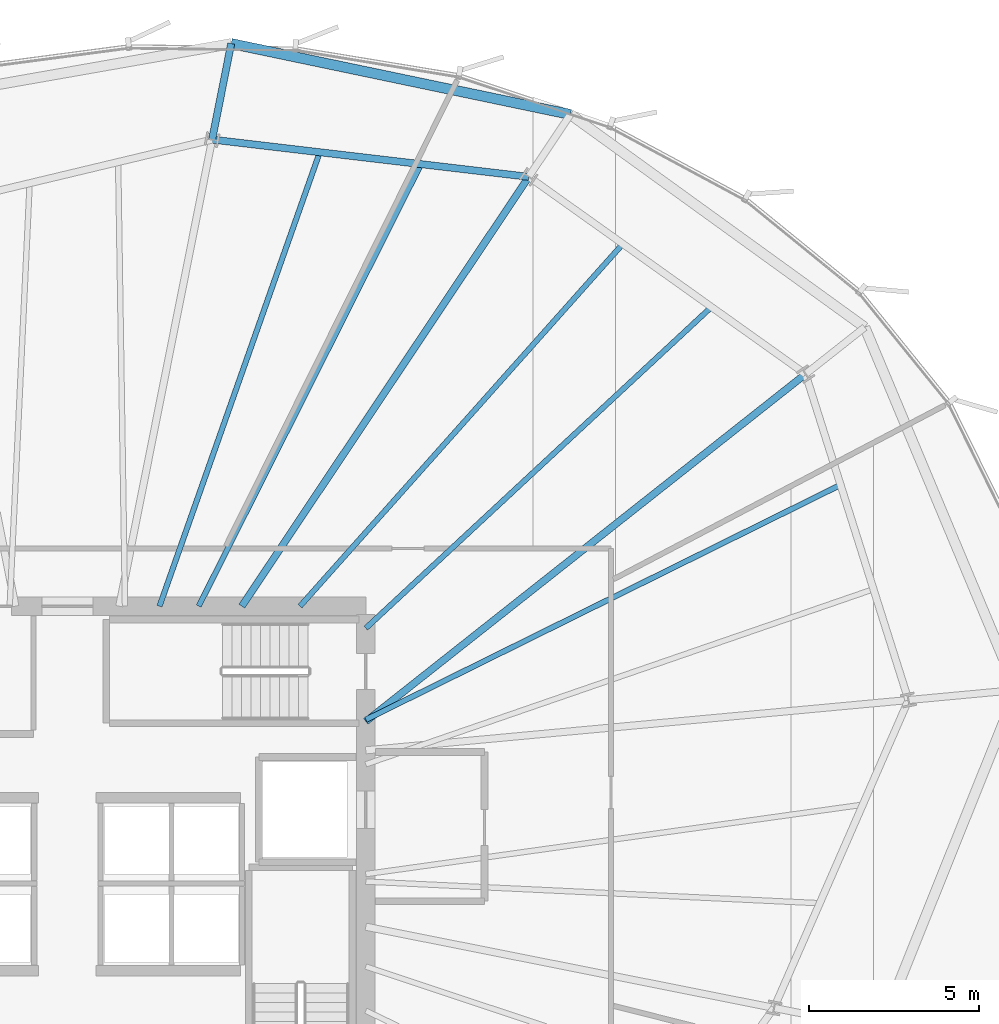
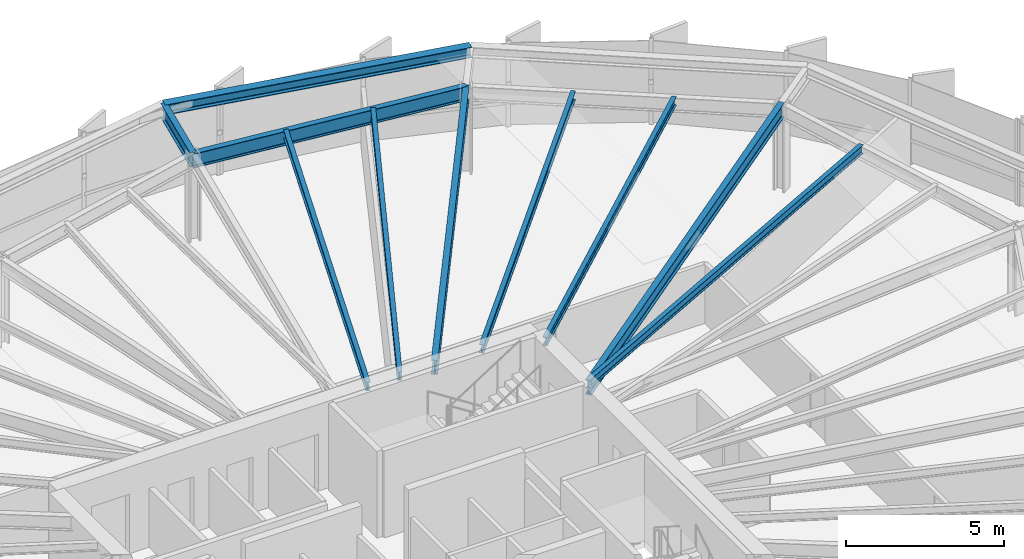
# One storey, part 22 of 33: 10 beams.
"""IFC4 building model written with IfcOpenShell, lengths in metres."""

from ifc_helpers import new_model, si_unit, direction, frame, origin, origin_2d, place, context, subcontext, project, spatial, i_section, extrude, source, transform, mapped, material, material_profile, profile_set, type_object, element, save


model = new_model("IFC4")

# Units and contexts
model_context = context("Model", 3, precision=1e-05, world=origin(), true_north=direction((0.0, 1.0)))
body_context = subcontext(model_context, "Body", "Model", "MODEL_VIEW")
ifc_project = project(units=[si_unit("LENGTHUNIT", "METRE"), si_unit("AREAUNIT", "SQUARE_METRE"), si_unit("VOLUMEUNIT", "CUBIC_METRE"), si_unit("PLANEANGLEUNIT", "RADIAN"), si_unit("MASSUNIT", "GRAM", prefix="KILO"), si_unit("THERMODYNAMICTEMPERATUREUNIT", "KELVIN")], contexts=[model_context])

# Site, building, storey
site_placement = place(None, origin())
site = spatial("IfcSite", under=ifc_project, at=site_placement, CompositionType="ELEMENT")
building_placement = place(site_placement, origin())
building = spatial("IfcBuilding", under=site, at=building_placement, Name="Kethvar Cultural Tower", CompositionType="ELEMENT")
storey_placement = place(building_placement, frame((0.0, 0.0, 114.39990234375)))
storey = spatial("IfcBuildingStorey", under=building, at=storey_placement, Name="L28", CompositionType="ELEMENT", Elevation=114.39990234375)

# Beams
ifc_material = material(Name="Steel S355J2", Category="steel")
ifc_material_profile_1 = material_profile(ifc_material, i_section(OverallWidth=0.2099609375, OverallDepth=0.550048828125, WebThickness=0.010986328125, FlangeThickness=0.01708984375, FilletRadius=0.02392578125, at=origin_2d()), Name="Steel S355J2 — IPE550")
ifc_profile_set_1 = profile_set([ifc_material_profile_1], Name="Steel S355J2 — IPE550")
beam_type_1 = type_object("IfcBeamType", Name="BM-IPE550", PredefinedType="BEAM", material=ifc_profile_set_1)
shared_shape_1 = source(origin(), body_context, "Body", "SweptSolid", [
    extrude(i_section(OverallWidth=0.2099609375, OverallDepth=0.550048828125, WebThickness=0.010986328125, FlangeThickness=0.01708984375, FilletRadius=0.02392578125, at=origin_2d()), origin(), (0.0, 0.0, 1.0), 16.527099609375),
])
beam_1_placement = place(storey_placement, frame((55.60009765625, 32.10009765625, 3.072998046875), z_axis=(0.784681939021, 0.619898584105, 0.0), x_axis=(-0.619898584105, 0.784681939021, 0.0)))
element("IfcBeam", 1, at=beam_1_placement, inside=storey, type_object=beam_type_1, Name="L28 Primary Radial Beam RB-02", PredefinedType="BEAM", context=body_context, shape_type="MappedRepresentation", body=[
    mapped(shared_shape_1, transform((0.0, 0.0, 0.0), scale=1.0)),
])
shared_shape_2 = source(origin(), body_context, "Body", "SweptSolid", [
    extrude(i_section(OverallWidth=0.2099609375, OverallDepth=0.550048828125, WebThickness=0.010986328125, FlangeThickness=0.01708984375, FilletRadius=0.02392578125, at=origin_2d()), origin(), (0.0, 0.0, 1.0), 15.22705078125),
])
beam_2_placement = place(storey_placement, frame((51.945068359375, 35.5, 3.072998046875), z_axis=(0.555569390778, 0.83147017507, 0.0), x_axis=(-0.83147017507, 0.555569390778, 0.0)))
element("IfcBeam", 2, at=beam_2_placement, inside=storey, type_object=beam_type_1, Name="L28 Primary Radial Beam RB-03", PredefinedType="BEAM", context=body_context, shape_type="MappedRepresentation", body=[
    mapped(shared_shape_2, transform((0.0, 0.0, 0.0), scale=1.0)),
])
ifc_material_profile_2 = material_profile(ifc_material, i_section(OverallWidth=0.159912109375, OverallDepth=0.330078125, WebThickness=0.007568359375, FlangeThickness=0.011474609375, FilletRadius=0.01806640625, at=origin_2d()), Name="Steel S355J2 — IPE330")
ifc_profile_set_2 = profile_set([ifc_material_profile_2], Name="Steel S355J2 — IPE330")
beam_type_2 = type_object("IfcBeamType", Name="BM-J330", PredefinedType="JOIST", material=ifc_profile_set_2)
shared_shape_3 = source(origin(), body_context, "Body", "SweptSolid", [
    extrude(i_section(OverallWidth=0.159912109375, OverallDepth=0.330078125, WebThickness=0.007568359375, FlangeThickness=0.011474609375, FilletRadius=0.01806640625, at=origin_2d()), origin(), (0.0, 0.0, 1.0), 15.618896484375),
])
beam_3_placement = place(storey_placement, frame((55.60009765625, 32.152587890625, 3.18310546875), z_axis=(0.896344638992, 0.443357968408, 0.0), x_axis=(-0.443357968408, 0.896344638992, 0.0)))
element("IfcBeam", 3, at=beam_3_placement, inside=storey, type_object=beam_type_2, Name="L28 Composite Floor Joist J-01B", PredefinedType="JOIST", context=body_context, shape_type="MappedRepresentation", body=[
    mapped(shared_shape_3, transform((0.0, 0.0, 0.0), scale=1.0)),
])
shared_shape_4 = source(origin(), body_context, "Body", "SweptSolid", [
    extrude(i_section(OverallWidth=0.159912109375, OverallDepth=0.330078125, WebThickness=0.007568359375, FlangeThickness=0.011474609375, FilletRadius=0.01806640625, at=origin_2d()), origin(), (0.0, 0.0, 1.0), 13.91455078125),
])
beam_4_placement = place(storey_placement, frame((55.60009765625, 34.85009765625, 3.18310546875), z_axis=(0.732512843328, 0.680753211054, 0.0), x_axis=(-0.680753211054, 0.732512843328, 0.0)))
element("IfcBeam", 4, at=beam_4_placement, inside=storey, type_object=beam_type_2, Name="L28 Composite Floor Joist J-02A", PredefinedType="JOIST", context=body_context, shape_type="MappedRepresentation", body=[
    mapped(shared_shape_4, transform((0.0, 0.0, 0.0), scale=1.0)),
])
shared_shape_5 = source(origin(), body_context, "Body", "SweptSolid", [
    extrude(i_section(OverallWidth=0.159912109375, OverallDepth=0.330078125, WebThickness=0.007568359375, FlangeThickness=0.011474609375, FilletRadius=0.01806640625, at=origin_2d()), origin(), (0.0, 0.0, 1.0), 14.3095703125),
])
beam_5_placement = place(storey_placement, frame((53.660888671875, 35.5, 3.18310546875), z_axis=(0.665261381663, 0.746610537073, 0.0), x_axis=(-0.746610537073, 0.665261381663, 0.0)))
element("IfcBeam", 5, at=beam_5_placement, inside=storey, type_object=beam_type_2, Name="L28 Composite Floor Joist J-02B", PredefinedType="JOIST", context=body_context, shape_type="MappedRepresentation", body=[
    mapped(shared_shape_5, transform((0.0, 0.0, 0.0), scale=1.0)),
])
shared_shape_6 = source(origin(), body_context, "Body", "SweptSolid", [
    extrude(i_section(OverallWidth=0.2099609375, OverallDepth=0.550048828125, WebThickness=0.010986328125, FlangeThickness=0.01708984375, FilletRadius=0.02392578125, at=origin_2d()), origin(), (0.0, 0.0, 1.0), 9.400634765625),
])
beam_6_placement = place(storey_placement, frame((60.40478515625, 48.160888671875, 3.072998046875), z_axis=(-0.993150427046, 0.116842754407, 0.0), x_axis=(-0.116842754407, -0.993150427046, 0.0)))
element("IfcBeam", 6, at=beam_6_placement, inside=storey, type_object=beam_type_1, Name="L28 Column Ring Tie Beam CR-03", PredefinedType="BEAM", context=body_context, shape_type="MappedRepresentation", body=[
    mapped(shared_shape_6, transform((0.0, 0.0, 0.0), scale=1.0)),
])
shared_shape_7 = source(origin(), body_context, "Body", "SweptSolid", [
    extrude(i_section(OverallWidth=0.159912109375, OverallDepth=0.330078125, WebThickness=0.007568359375, FlangeThickness=0.011474609375, FilletRadius=0.01806640625, at=origin_2d()), origin(), (0.0, 0.0, 1.0), 14.590576171875),
])
beam_7_placement = place(storey_placement, frame((50.673583984375, 35.5, 3.18310546875), z_axis=(0.449394228778, 0.893333547529, 0.0), x_axis=(-0.893333547529, 0.449394228778, 0.0)))
element("IfcBeam", 7, at=beam_7_placement, inside=storey, type_object=beam_type_2, Name="L28 Composite Floor Joist J-03A", PredefinedType="JOIST", context=body_context, shape_type="MappedRepresentation", body=[
    mapped(shared_shape_7, transform((0.0, 0.0, 0.0), scale=1.0)),
])
shared_shape_8 = source(origin(), body_context, "Body", "SweptSolid", [
    extrude(i_section(OverallWidth=0.159912109375, OverallDepth=0.330078125, WebThickness=0.007568359375, FlangeThickness=0.011474609375, FilletRadius=0.01806640625, at=origin_2d()), origin(), (0.0, 0.0, 1.0), 14.1953125),
])
beam_8_placement = place(storey_placement, frame((49.517822265625, 35.5, 3.18310546875), z_axis=(0.332865098769, 0.942974456717, 0.0), x_axis=(-0.942974456717, 0.332865098769, 0.0)))
element("IfcBeam", 8, at=beam_8_placement, inside=storey, type_object=beam_type_2, Name="L28 Composite Floor Joist J-03B", PredefinedType="JOIST", context=body_context, shape_type="MappedRepresentation", body=[
    mapped(shared_shape_8, transform((0.0, 0.0, 0.0), scale=1.0)),
])
shared_shape_9 = source(origin(), body_context, "Body", "SweptSolid", [
    extrude(i_section(OverallWidth=0.2099609375, OverallDepth=0.550048828125, WebThickness=0.010986328125, FlangeThickness=0.01708984375, FilletRadius=0.02392578125, at=origin_2d()), origin(), (0.0, 0.0, 1.0), 2.886962890625),
])
beam_9_placement = place(storey_placement, frame((51.068603515625, 49.25927734375, 3.072998046875), z_axis=(0.19501014198, 0.980801225797, 0.0), x_axis=(-0.980801225797, 0.19501014198, 0.0)))
element("IfcBeam", 9, at=beam_9_placement, inside=storey, type_object=beam_type_1, Name="L28 Perimeter Cantilever Beam RC-04", PredefinedType="BEAM", context=body_context, shape_type="MappedRepresentation", body=[
    mapped(shared_shape_9, transform((0.0, 0.0, 0.0), scale=1.0)),
])
ifc_material_profile_3 = material_profile(ifc_material, i_section(OverallWidth=0.300048828125, OverallDepth=0.39990234375, WebThickness=0.013427734375, FlangeThickness=0.02392578125, FilletRadius=0.027099609375, at=origin_2d()), Name="Steel S355J2 — HEB400")
ifc_profile_set_3 = profile_set([ifc_material_profile_3], Name="Steel S355J2 — HEB400")
beam_type_3 = type_object("IfcBeamType", Name="BM-SP400", PredefinedType="SPANDREL", material=ifc_profile_set_3)
shared_shape_10 = source(origin(), body_context, "Body", "SweptSolid", [
    extrude(i_section(OverallWidth=0.300048828125, OverallDepth=0.39990234375, WebThickness=0.013427734375, FlangeThickness=0.02392578125, FilletRadius=0.027099609375, at=origin_2d()), origin(), (0.0, 0.0, 1.0), 10.218017578125),
])
beam_10_placement = place(storey_placement, frame((61.63330078125, 49.99951171875, 3.148193359375), z_axis=(-0.978831273866, 0.204668847901, 0.0), x_axis=(-0.204668847901, -0.978831273866, 0.0)))
element("IfcBeam", 10, at=beam_10_placement, inside=storey, type_object=beam_type_3, Name="L28 Perimeter Spandrel Beam SP-03", PredefinedType="SPANDREL", context=body_context, shape_type="MappedRepresentation", body=[
    mapped(shared_shape_10, transform((0.0, 0.0, 0.0), scale=1.0)),
])

save(model, "model.ifc")
